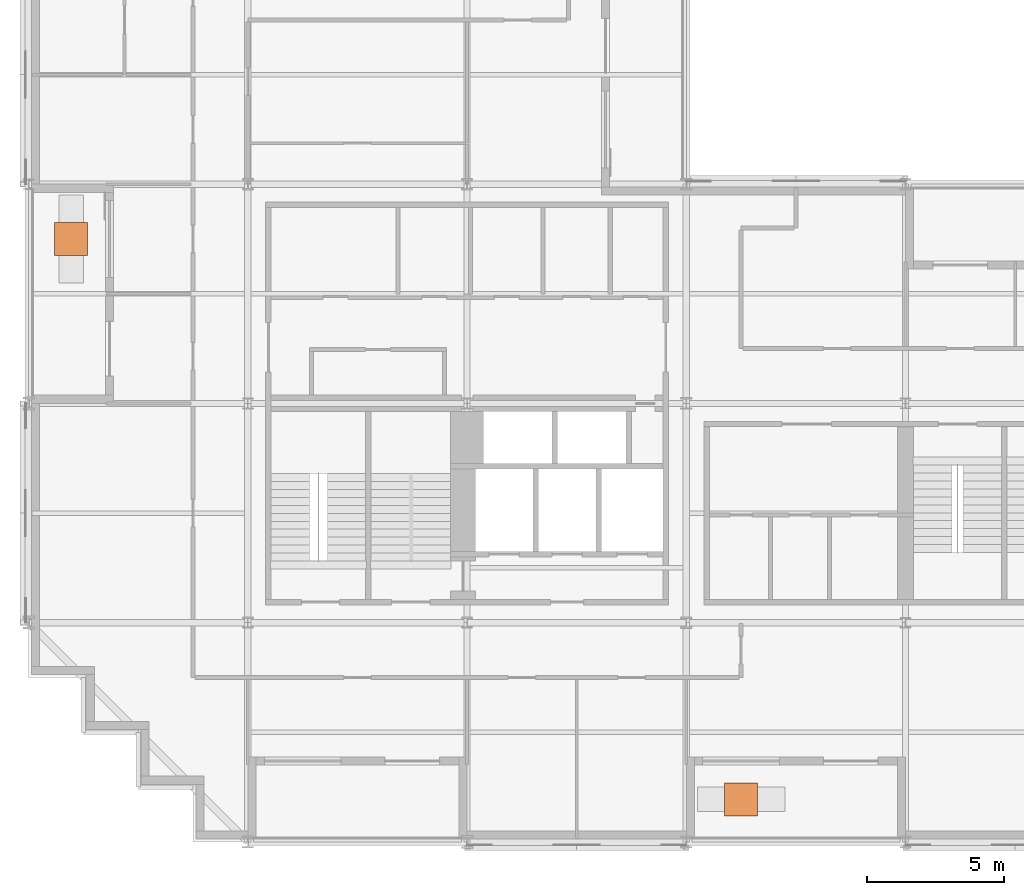
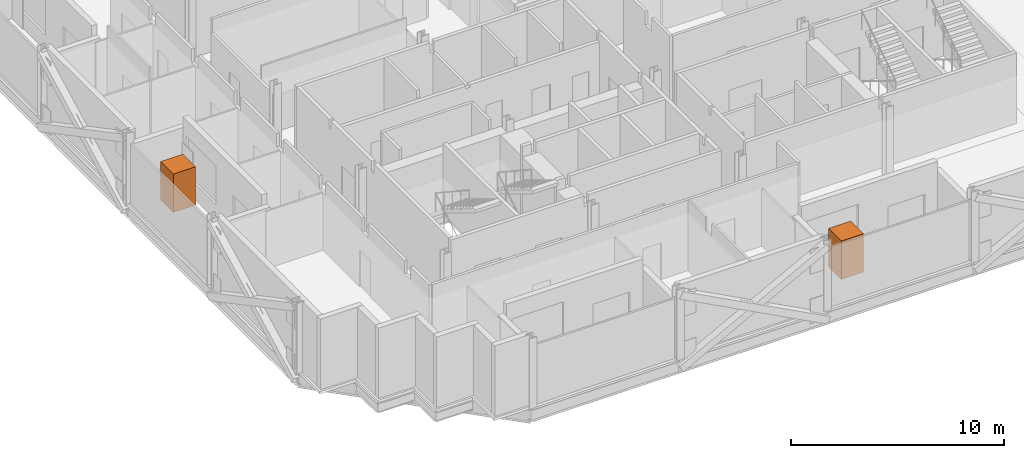
# One storey, part 12 of 12: 2 geographic elements.
"""IFC4 building model written with IfcOpenShell, lengths in metres."""

import ifcopenshell
import ifcopenshell.guid

model = None  # the IFC model being written
_history = None  # IfcOwnerHistory: only IFC2X3 demands one
_inside = {}  # id of a spatial element -> (the spatial element, [elements in it])
_under = {}  # id of a project, library or spatial element -> (it, [spatial elements below it])
_declared = {}  # id of a project -> (the project, [libraries it declares])
_typed = {}  # id of a type object -> (the type object, [elements of that type])
_made_of = {}  # id of a material, layer set ... -> (it, [elements and type objects made of it])


def new_model(schema):
    """Start an empty IFC model of exactly this schema.

    Asked for "IFC4X3", IfcOpenShell would pick the latest addendum, in which some entities
    have other attributes; the version numbers below select the first issue.
    IFC2X3 requires an IfcOwnerHistory on every rooted entity: one is made here for all.
    """
    global model, _history
    if schema == "IFC4X3":
        model = ifcopenshell.file(schema_version=(4, 3, 0, 0))
    else:
        model = ifcopenshell.file(schema=schema)
    _inside.clear()
    _under.clear()
    _declared.clear()
    _typed.clear()
    _made_of.clear()
    _history = None
    if model.schema == "IFC2X3":
        org = make("IfcOrganization", Name="unknown")
        user = make(
            "IfcPersonAndOrganization",
            ThePerson=make("IfcPerson", FamilyName="unknown"),
            TheOrganization=org,
        )
        app = make(
            "IfcApplication",
            ApplicationDeveloper=org,
            Version="unknown",
            ApplicationFullName="unknown",
            ApplicationIdentifier="unknown",
        )
        _history = make(
            "IfcOwnerHistory",
            OwningUser=user,
            OwningApplication=app,
            ChangeAction="ADDED",
            CreationDate=0,
        )
    return model


def make(cls, **values):
    """One entity of the class cls with the attributes given. An attribute that is None is left unset."""
    return model.create_entity(
        cls, **{name: value for name, value in values.items() if value is not None}
    )


def rooted(cls, **values):
    """An entity with a GlobalId (a new one), such as an element, a storey or a relation."""
    return make(cls, GlobalId=ifcopenshell.guid.new(), OwnerHistory=_history, **values)


def si_unit(unit_type, name, prefix=None):
    """IfcSIUnit, for example si_unit("LENGTHUNIT", "METRE", prefix="MILLI")."""
    return make("IfcSIUnit", UnitType=unit_type, Prefix=prefix, Name=name)


def assignment(units):
    """IfcUnitAssignment: the units of a project."""
    return None if units is None else make("IfcUnitAssignment", Units=units)


def point(xyz):
    """IfcCartesianPoint."""
    return None if xyz is None else make("IfcCartesianPoint", Coordinates=xyz)


def direction(xyz):
    """IfcDirection."""
    return None if xyz is None else make("IfcDirection", DirectionRatios=xyz)


def frame(location, z_axis=None, x_axis=None):
    """IfcAxis2Placement3D, a coordinate frame: its origin and axes. An axis left out is left unset."""
    return make(
        "IfcAxis2Placement3D",
        Location=point(location),
        Axis=direction(z_axis),
        RefDirection=direction(x_axis),
    )


def frame_2d(location, x_axis=None):
    """IfcAxis2Placement2D, a coordinate frame in the plane: its origin and x axis."""
    return make(
        "IfcAxis2Placement2D", Location=point(location), RefDirection=direction(x_axis)
    )


def origin():
    """The frame at (0, 0, 0) with its axes left unset."""
    return frame((0.0, 0.0, 0.0))


def origin_2d():
    """The frame at (0, 0) in the plane with its x axis left unset."""
    return frame_2d((0.0, 0.0))


def place(relative_to, where):
    """IfcLocalPlacement: puts the frame where relative to a parent placement (None: the world)."""
    return make(
        "IfcLocalPlacement", PlacementRelTo=relative_to, RelativePlacement=where
    )


def context(
    kind, dimensions, precision=None, world=None, true_north=None, identifier=None
):
    """IfcGeometricRepresentationContext, for example the 3D "Model" context."""
    return make(
        "IfcGeometricRepresentationContext",
        ContextIdentifier=identifier,
        ContextType=kind,
        CoordinateSpaceDimension=dimensions,
        Precision=precision,
        WorldCoordinateSystem=world,
        TrueNorth=true_north,
    )


def subcontext(parent, identifier, kind, view, scale=None):
    """IfcGeometricRepresentationSubContext, for example "Body" below "Model"."""
    return make(
        "IfcGeometricRepresentationSubContext",
        ContextIdentifier=identifier,
        ContextType=kind,
        ParentContext=parent,
        TargetScale=scale,
        TargetView=view,
    )


def project(units=None, contexts=None):
    """IfcProject with its units and contexts."""
    return rooted(
        "IfcProject",
        Name="project",
        RepresentationContexts=contexts,
        UnitsInContext=assignment(units),
    )


def spatial(cls, under=None, at=None, **own):
    """A site, building, storey or space (cls), placed at a placement, below another one or the project."""
    s = rooted(cls, ObjectPlacement=at, **own)
    if under is not None:
        _under.setdefault(under.id(), (under, []))[1].append(s)
    return s


def profile(cls, at=None, kind="AREA", **sizes):
    """A parametric profile (cls). Its sizes go by their IFC names, for example OverallWidth=200.0."""
    return make(cls, ProfileType=kind, Position=at, **sizes)


def rectangle(**sizes):
    """IfcRectangleProfileDef."""
    return profile("IfcRectangleProfileDef", **sizes)


def extrude(swept, where, along, depth):
    """IfcExtrudedAreaSolid: the profile swept, set in the frame where, extruded along a direction by depth."""
    return make(
        "IfcExtrudedAreaSolid",
        SweptArea=swept,
        Position=where,
        ExtrudedDirection=direction(along),
        Depth=depth,
    )


def shape(context_of_items, identifier, shape_type, items):
    """IfcShapeRepresentation: the items that make up one representation, for example the "Body"."""
    return make(
        "IfcShapeRepresentation",
        ContextOfItems=context_of_items,
        RepresentationIdentifier=identifier,
        RepresentationType=shape_type,
        Items=items,
    )


def material(Name=None, Category=None):
    """IfcMaterial."""
    return make("IfcMaterial", Name=Name, Category=Category)


def made_of(thing, what):
    """Note that an element or type object is made of a material, layer set ...; save() writes the relation."""
    if what is not None:
        _made_of.setdefault(what.id(), (what, []))[1].append(thing)
    return thing


def type_object(cls, material=None, **own):
    """A type object (cls), such as IfcWallType, which elements share."""
    return made_of(rooted(cls, **own), material)


def element(
    cls,
    number,
    at=None,
    inside=None,
    cuts=None,
    type_object=None,
    material=None,
    context=None,
    identifier="Body",
    shape_type=None,
    held_by="IfcProductDefinitionShape",
    body=None,
    shapes=None,
    **own,
):
    """One element of the class cls, such as IfcWall. Its Tag is "e" and its number.

    at: its placement. inside: the storey or other place that contains it. cuts: it is an
    opening in that element (IfcRelVoidsElement). A single representation is given by context,
    identifier, shape_type and body (its items); several are given by shapes. held_by: the class
    of the entity that holds the representations. save() writes the other relations.
    """
    e = rooted(cls, Tag="e%d" % number, ObjectPlacement=at, **own)
    if body is not None:
        shapes = [shape(context, identifier, shape_type, body)]
    if shapes is not None:
        e.Representation = make(held_by, Representations=shapes)
    if inside is not None:
        _inside.setdefault(inside.id(), (inside, []))[1].append(e)
    if cuts is not None:
        rooted(
            "IfcRelVoidsElement", RelatingBuildingElement=cuts, RelatedOpeningElement=e
        )
    if type_object is not None:
        _typed.setdefault(type_object.id(), (type_object, []))[1].append(e)
    return made_of(e, material)


def aggregate(whole, parts):
    """IfcRelAggregates: a whole, such as a stair, and the parts it consists of."""
    return rooted("IfcRelAggregates", RelatingObject=whole, RelatedObjects=parts)


def save(model, path):
    """Write the relations noted so far, then the file.

    IfcRelAggregates (storeys below a building ...), IfcRelContainedInSpatialStructure (elements
    in a storey), IfcRelDefinesByType, IfcRelAssociatesMaterial and IfcRelDeclares: one each for
    every whole, place, type object, material and project.
    """
    for whole, parts in _under.values():
        aggregate(whole, parts)
    for where, things in _inside.values():
        rooted(
            "IfcRelContainedInSpatialStructure",
            RelatedElements=things,
            RelatingStructure=where,
        )
    for kind, things in _typed.values():
        rooted("IfcRelDefinesByType", RelatedObjects=things, RelatingType=kind)
    for what, things in _made_of.values():
        rooted("IfcRelAssociatesMaterial", RelatedObjects=things, RelatingMaterial=what)
    for by, libraries in _declared.values():
        rooted("IfcRelDeclares", RelatingContext=by, RelatedDefinitions=libraries)
    model.write(path)


model = new_model("IFC4")

# Units and contexts
model_context = context("Model", 3, precision=1e-05, world=origin(), true_north=direction((0.0, 1.0)))
body_context = subcontext(model_context, "Body", "Model", "MODEL_VIEW")
ifc_project = project(units=[si_unit("LENGTHUNIT", "METRE"), si_unit("AREAUNIT", "SQUARE_METRE"), si_unit("VOLUMEUNIT", "CUBIC_METRE"), si_unit("PLANEANGLEUNIT", "RADIAN"), si_unit("MASSUNIT", "GRAM", prefix="KILO")], contexts=[model_context])

# Site, building, storey
site_placement = place(None, origin())
site = spatial("IfcSite", under=ifc_project, at=site_placement, CompositionType="ELEMENT")
building_placement = place(site_placement, origin())
building = spatial("IfcBuilding", under=site, at=building_placement, Name="Immortelle Media Tower", CompositionType="ELEMENT")
storey_placement = place(building_placement, frame((0.0, 0.0, 149.39990234375)))
storey = spatial("IfcBuildingStorey", under=building, at=storey_placement, Name="L30", CompositionType="ELEMENT", Elevation=149.39990234375)

# Geographic elements
ifc_material = material(Name="Tree canopy foliage")
geographic_element_type = type_object("IfcGeographicElementType", Name="Tree", PredefinedType="USERDEFINED", material=ifc_material)
for number, where, z_axis, x_axis, name in (
    (1, (26.0, 1.550048828125, 0.60009765625), (0.0, 0.0, 1.0), (1.0, 0.0, 0.0), "Tree L30 S2"),
    (2, (1.550048828125, 22.0, 0.60009765625), (0.0, 0.0, 1.0), (1.0, 0.0, 0.0), "Tree L30 W2"),
):
    element("IfcGeographicElement", number, at=place(storey_placement, frame(where, z_axis=z_axis, x_axis=x_axis)), inside=storey, type_object=geographic_element_type, Name=name, ObjectType="Tree", PredefinedType="USERDEFINED", context=body_context, shape_type="SweptSolid", body=[
        extrude(rectangle(XDim=1.199951171875, YDim=1.199951171875, at=origin_2d()), origin(), (0.0, 0.0, 1.0), 2.199951171875),
    ])

save(model, "model.ifc")
